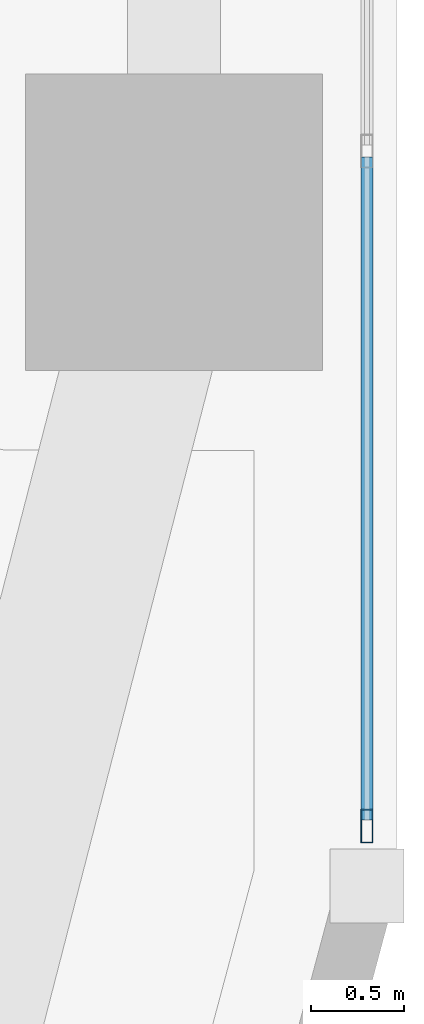
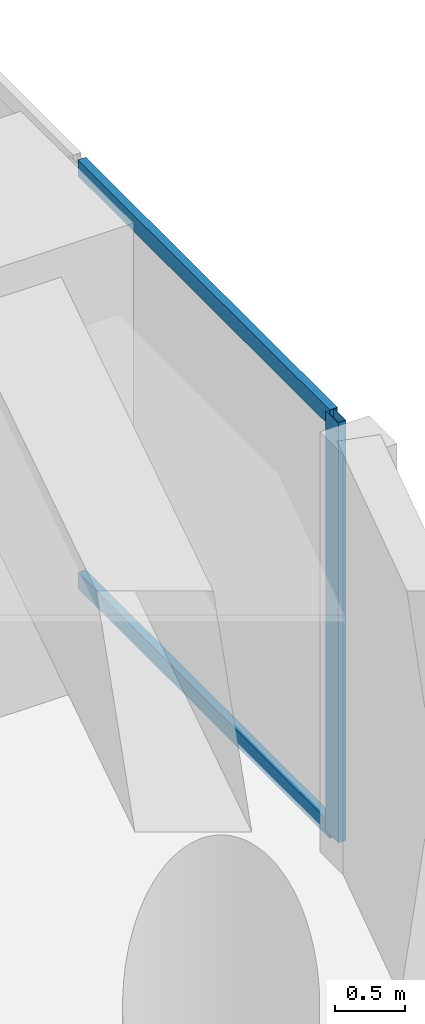
# One storey, part 4 of 29: 3 members, 1 element without a shape of its own.
"""IFC4 building model written with IfcOpenShell, lengths in metres."""

from ifc_helpers import new_model, si_unit, direction, frame, origin, origin_2d, place, context, subcontext, project, spatial, hollow_rectangle, extrude, material, layer, layer_set, material_profile, profile_set, type_object, element, aggregate, save


model = new_model("IFC4")

# Units and contexts
model_context = context("Model", 3, precision=1e-05, world=origin(), true_north=direction((0.0, 1.0)))
body_context = subcontext(model_context, "Body", "Model", "MODEL_VIEW")
ifc_project = project(units=[si_unit("LENGTHUNIT", "METRE"), si_unit("AREAUNIT", "SQUARE_METRE"), si_unit("VOLUMEUNIT", "CUBIC_METRE"), si_unit("PLANEANGLEUNIT", "RADIAN"), si_unit("MASSUNIT", "GRAM", prefix="KILO")], contexts=[model_context])

# Site, building, storey
site_placement = place(None, origin())
site = spatial("IfcSite", under=ifc_project, at=site_placement, CompositionType="ELEMENT")
building_placement = place(site_placement, origin())
building = spatial("IfcBuilding", under=site, at=building_placement, Name="Kiyonajd Concourse Tower", CompositionType="ELEMENT")
storey_placement = place(building_placement, frame((0.0, 0.0, 29.39990234375)))
storey = spatial("IfcBuildingStorey", under=building, at=storey_placement, Name="L08", CompositionType="ELEMENT", Elevation=29.39990234375)

# Curtain wall, members
ifc_material = material(Name="Thermally Broken Anodised Aluminium", Category="aluminium")
ifc_layer = layer(ifc_material, 0.179931640625)
ifc_layer_set = layer_set([ifc_layer], Name="Thermally Broken Anodised Aluminium")
curtain_wall_type = type_object("IfcCurtainWallType", Name="CW-SYS-02", PredefinedType="NOTDEFINED", material=ifc_layer_set)
curtain_wall_placement = place(storey_placement, origin())
curtain_wall = element("IfcCurtainWall", 1, at=curtain_wall_placement, inside=storey, type_object=curtain_wall_type, Name="L08 Unitised Curtain Wall CW2", PredefinedType="NOTDEFINED")
ifc_material_profile_1 = material_profile(ifc_material, hollow_rectangle(XDim=0.06494140625, YDim=0.179931640625, WallThickness=0.00390625, at=origin_2d()), Name="MULL-65x180")
ifc_profile_set_1 = profile_set([ifc_material_profile_1], Name="Thermally Broken Anodised Aluminium")
member_type_1 = type_object("IfcMemberType", Name="MB-CW-MULL1", PredefinedType="MULLION", material=ifc_profile_set_1)
member_1_placement = place(storey_placement, frame((79.0400390625, 15.343505859375, 0.0), z_axis=(0.0, 0.0, 1.0), x_axis=(1.0, 0.0, 0.0)))
member_1 = element("IfcMember", 2, at=member_1_placement, type_object=member_type_1, Name="CW2 mullion 7", PredefinedType="MULLION", context=body_context, shape_type="SweptSolid", body=[
    extrude(hollow_rectangle(XDim=0.06494140625, YDim=0.179931640625, WallThickness=0.00390625, at=origin_2d()), origin(), (0.0, 0.0, 1.0), 3.64013671875),
])
ifc_material_profile_2 = material_profile(ifc_material, hollow_rectangle(XDim=0.06494140625, YDim=0.139892578125, WallThickness=0.00390625, at=origin_2d()), Name="TRAN-65x140")
ifc_profile_set_2 = profile_set([ifc_material_profile_2], Name="Thermally Broken Anodised Aluminium")
member_type_2 = type_object("IfcMemberType", Name="MB-CW-TRAN1", PredefinedType="USERDEFINED", material=ifc_profile_set_2)
member_2_placement = place(storey_placement, frame((79.0400390625, 18.95166015625, 0.03271484375), z_axis=(0.0, -1.0, 0.0), x_axis=(1.0, 0.0, 0.0)))
member_2 = element("IfcMember", 3, at=member_2_placement, type_object=member_type_2, Name="CW2 transom 6.1", ObjectType="TRANSOM", PredefinedType="USERDEFINED", context=body_context, shape_type="SweptSolid", body=[
    extrude(hollow_rectangle(XDim=0.06494140625, YDim=0.139892578125, WallThickness=0.00390625, at=origin_2d()), origin(), (0.0, 0.0, 1.0), 3.575439453125),
])
member_3_placement = place(storey_placement, frame((79.0400390625, 18.95166015625, 3.607666015625), z_axis=(0.0, -1.0, 0.0), x_axis=(1.0, 0.0, 0.0)))
member_3 = element("IfcMember", 4, at=member_3_placement, type_object=member_type_2, Name="CW2 transom 6.2", ObjectType="TRANSOM", PredefinedType="USERDEFINED", context=body_context, shape_type="SweptSolid", body=[
    extrude(hollow_rectangle(XDim=0.06494140625, YDim=0.139892578125, WallThickness=0.00390625, at=origin_2d()), origin(), (0.0, 0.0, 1.0), 3.575439453125),
])
aggregate(curtain_wall, [member_1, member_2, member_3])

save(model, "model.ifc")
